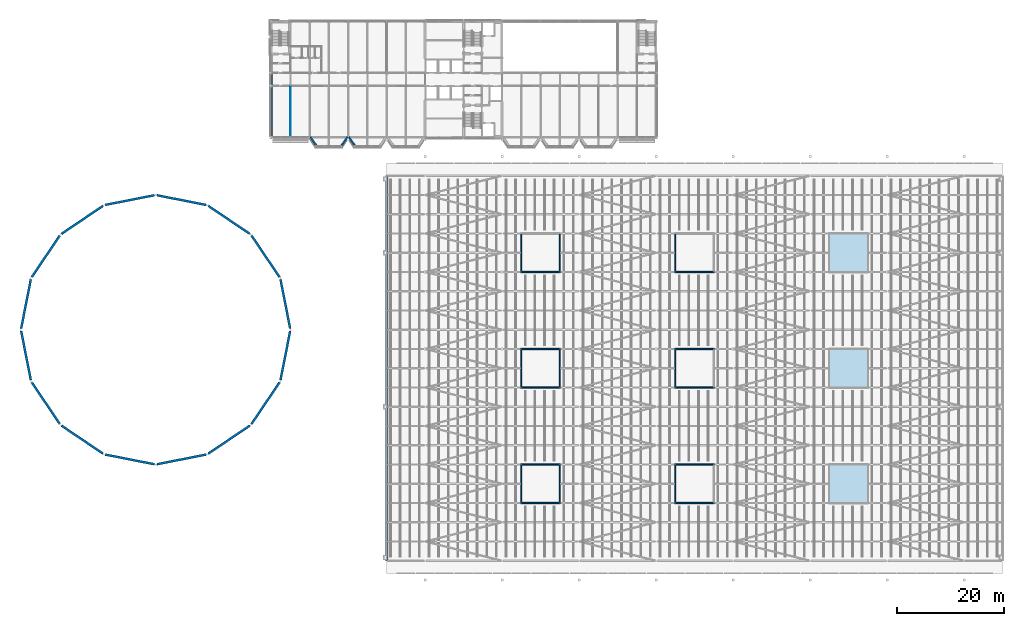
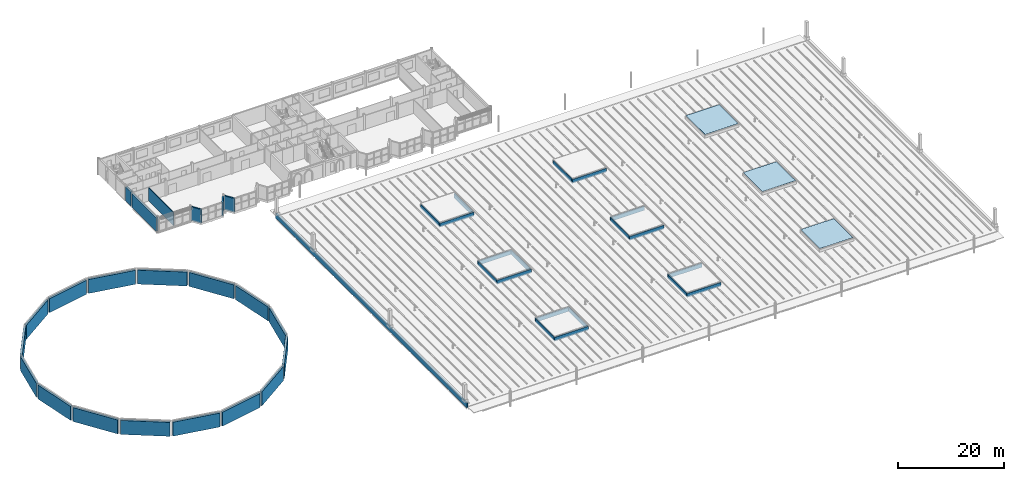
# One storey, part 60 of 120: 42 walls, 3 slabs.
"""IFC4 building model written with IfcOpenShell, lengths in metres."""

import ifcopenshell
import ifcopenshell.guid

model = None  # the IFC model being written
_history = None  # IfcOwnerHistory: only IFC2X3 demands one
_inside = {}  # id of a spatial element -> (the spatial element, [elements in it])
_under = {}  # id of a project, library or spatial element -> (it, [spatial elements below it])
_declared = {}  # id of a project -> (the project, [libraries it declares])
_typed = {}  # id of a type object -> (the type object, [elements of that type])
_made_of = {}  # id of a material, layer set ... -> (it, [elements and type objects made of it])


def new_model(schema):
    """Start an empty IFC model of exactly this schema.

    Asked for "IFC4X3", IfcOpenShell would pick the latest addendum, in which some entities
    have other attributes; the version numbers below select the first issue.
    IFC2X3 requires an IfcOwnerHistory on every rooted entity: one is made here for all.
    """
    global model, _history
    if schema == "IFC4X3":
        model = ifcopenshell.file(schema_version=(4, 3, 0, 0))
    else:
        model = ifcopenshell.file(schema=schema)
    _inside.clear()
    _under.clear()
    _declared.clear()
    _typed.clear()
    _made_of.clear()
    _history = None
    if model.schema == "IFC2X3":
        org = make("IfcOrganization", Name="unknown")
        user = make(
            "IfcPersonAndOrganization",
            ThePerson=make("IfcPerson", FamilyName="unknown"),
            TheOrganization=org,
        )
        app = make(
            "IfcApplication",
            ApplicationDeveloper=org,
            Version="unknown",
            ApplicationFullName="unknown",
            ApplicationIdentifier="unknown",
        )
        _history = make(
            "IfcOwnerHistory",
            OwningUser=user,
            OwningApplication=app,
            ChangeAction="ADDED",
            CreationDate=0,
        )
    return model


def make(cls, **values):
    """One entity of the class cls with the attributes given. An attribute that is None is left unset."""
    return model.create_entity(
        cls, **{name: value for name, value in values.items() if value is not None}
    )


def rooted(cls, **values):
    """An entity with a GlobalId (a new one), such as an element, a storey or a relation."""
    return make(cls, GlobalId=ifcopenshell.guid.new(), OwnerHistory=_history, **values)


def si_unit(unit_type, name, prefix=None):
    """IfcSIUnit, for example si_unit("LENGTHUNIT", "METRE", prefix="MILLI")."""
    return make("IfcSIUnit", UnitType=unit_type, Prefix=prefix, Name=name)


def assignment(units):
    """IfcUnitAssignment: the units of a project."""
    return None if units is None else make("IfcUnitAssignment", Units=units)


def point(xyz):
    """IfcCartesianPoint."""
    return None if xyz is None else make("IfcCartesianPoint", Coordinates=xyz)


def direction(xyz):
    """IfcDirection."""
    return None if xyz is None else make("IfcDirection", DirectionRatios=xyz)


def frame(location, z_axis=None, x_axis=None):
    """IfcAxis2Placement3D, a coordinate frame: its origin and axes. An axis left out is left unset."""
    return make(
        "IfcAxis2Placement3D",
        Location=point(location),
        Axis=direction(z_axis),
        RefDirection=direction(x_axis),
    )


def frame_2d(location, x_axis=None):
    """IfcAxis2Placement2D, a coordinate frame in the plane: its origin and x axis."""
    return make(
        "IfcAxis2Placement2D", Location=point(location), RefDirection=direction(x_axis)
    )


def origin():
    """The frame at (0, 0, 0) with its axes left unset."""
    return frame((0.0, 0.0, 0.0))


def place(relative_to, where):
    """IfcLocalPlacement: puts the frame where relative to a parent placement (None: the world)."""
    return make(
        "IfcLocalPlacement", PlacementRelTo=relative_to, RelativePlacement=where
    )


def context(
    kind, dimensions, precision=None, world=None, true_north=None, identifier=None
):
    """IfcGeometricRepresentationContext, for example the 3D "Model" context."""
    return make(
        "IfcGeometricRepresentationContext",
        ContextIdentifier=identifier,
        ContextType=kind,
        CoordinateSpaceDimension=dimensions,
        Precision=precision,
        WorldCoordinateSystem=world,
        TrueNorth=true_north,
    )


def subcontext(parent, identifier, kind, view, scale=None):
    """IfcGeometricRepresentationSubContext, for example "Body" below "Model"."""
    return make(
        "IfcGeometricRepresentationSubContext",
        ContextIdentifier=identifier,
        ContextType=kind,
        ParentContext=parent,
        TargetScale=scale,
        TargetView=view,
    )


def project(units=None, contexts=None):
    """IfcProject with its units and contexts."""
    return rooted(
        "IfcProject",
        Name="project",
        RepresentationContexts=contexts,
        UnitsInContext=assignment(units),
    )


def spatial(cls, under=None, at=None, **own):
    """A site, building, storey or space (cls), placed at a placement, below another one or the project."""
    s = rooted(cls, ObjectPlacement=at, **own)
    if under is not None:
        _under.setdefault(under.id(), (under, []))[1].append(s)
    return s


def polyline(points):
    """IfcPolyline through the points."""
    return make("IfcPolyline", Points=[point(p) for p in points])


def profile(cls, at=None, kind="AREA", **sizes):
    """A parametric profile (cls). Its sizes go by their IFC names, for example OverallWidth=200.0."""
    return make(cls, ProfileType=kind, Position=at, **sizes)


def rectangle(**sizes):
    """IfcRectangleProfileDef."""
    return profile("IfcRectangleProfileDef", **sizes)


def outline(outer, holes=None, kind="AREA"):
    """IfcArbitraryClosedProfileDef: a profile drawn as a closed curve; with holes, ...WithVoids."""
    if holes is None:
        return make("IfcArbitraryClosedProfileDef", ProfileType=kind, OuterCurve=outer)
    return make(
        "IfcArbitraryProfileDefWithVoids",
        ProfileType=kind,
        OuterCurve=outer,
        InnerCurves=holes,
    )


def extrude(swept, where, along, depth):
    """IfcExtrudedAreaSolid: the profile swept, set in the frame where, extruded along a direction by depth."""
    return make(
        "IfcExtrudedAreaSolid",
        SweptArea=swept,
        Position=where,
        ExtrudedDirection=direction(along),
        Depth=depth,
    )


def shape(context_of_items, identifier, shape_type, items):
    """IfcShapeRepresentation: the items that make up one representation, for example the "Body"."""
    return make(
        "IfcShapeRepresentation",
        ContextOfItems=context_of_items,
        RepresentationIdentifier=identifier,
        RepresentationType=shape_type,
        Items=items,
    )


def material(Name=None, Category=None):
    """IfcMaterial."""
    return make("IfcMaterial", Name=Name, Category=Category)


def layer(
    of_material, thickness, ventilated=None, Name=None, Category=None, Priority=None
):
    """IfcMaterialLayer: one layer of a wall or slab, of a material (None: an air gap)."""
    return make(
        "IfcMaterialLayer",
        Material=of_material,
        LayerThickness=thickness,
        IsVentilated=ventilated,
        Name=Name,
        Category=Category,
        Priority=Priority,
    )


def layer_set(layers, Name=None):
    """IfcMaterialLayerSet."""
    return make("IfcMaterialLayerSet", MaterialLayers=layers, LayerSetName=Name)


def made_of(thing, what):
    """Note that an element or type object is made of a material, layer set ...; save() writes the relation."""
    if what is not None:
        _made_of.setdefault(what.id(), (what, []))[1].append(thing)
    return thing


def type_object(cls, material=None, **own):
    """A type object (cls), such as IfcWallType, which elements share."""
    return made_of(rooted(cls, **own), material)


def element(
    cls,
    number,
    at=None,
    inside=None,
    cuts=None,
    type_object=None,
    material=None,
    context=None,
    identifier="Body",
    shape_type=None,
    held_by="IfcProductDefinitionShape",
    body=None,
    shapes=None,
    **own,
):
    """One element of the class cls, such as IfcWall. Its Tag is "e" and its number.

    at: its placement. inside: the storey or other place that contains it. cuts: it is an
    opening in that element (IfcRelVoidsElement). A single representation is given by context,
    identifier, shape_type and body (its items); several are given by shapes. held_by: the class
    of the entity that holds the representations. save() writes the other relations.
    """
    e = rooted(cls, Tag="e%d" % number, ObjectPlacement=at, **own)
    if body is not None:
        shapes = [shape(context, identifier, shape_type, body)]
    if shapes is not None:
        e.Representation = make(held_by, Representations=shapes)
    if inside is not None:
        _inside.setdefault(inside.id(), (inside, []))[1].append(e)
    if cuts is not None:
        rooted(
            "IfcRelVoidsElement", RelatingBuildingElement=cuts, RelatedOpeningElement=e
        )
    if type_object is not None:
        _typed.setdefault(type_object.id(), (type_object, []))[1].append(e)
    return made_of(e, material)


def aggregate(whole, parts):
    """IfcRelAggregates: a whole, such as a stair, and the parts it consists of."""
    return rooted("IfcRelAggregates", RelatingObject=whole, RelatedObjects=parts)


def save(model, path):
    """Write the relations noted so far, then the file.

    IfcRelAggregates (storeys below a building ...), IfcRelContainedInSpatialStructure (elements
    in a storey), IfcRelDefinesByType, IfcRelAssociatesMaterial and IfcRelDeclares: one each for
    every whole, place, type object, material and project.
    """
    for whole, parts in _under.values():
        aggregate(whole, parts)
    for where, things in _inside.values():
        rooted(
            "IfcRelContainedInSpatialStructure",
            RelatedElements=things,
            RelatingStructure=where,
        )
    for kind, things in _typed.values():
        rooted("IfcRelDefinesByType", RelatedObjects=things, RelatingType=kind)
    for what, things in _made_of.values():
        rooted("IfcRelAssociatesMaterial", RelatedObjects=things, RelatingMaterial=what)
    for by, libraries in _declared.values():
        rooted("IfcRelDeclares", RelatingContext=by, RelatedDefinitions=libraries)
    model.write(path)


model = new_model("IFC4")

# Units and contexts
model_context = context("Model", 3, precision=1e-05, world=origin(), true_north=direction((0.0, 1.0)))
body_context = subcontext(model_context, "Body", "Model", "MODEL_VIEW")
ifc_project = project(units=[si_unit("LENGTHUNIT", "METRE"), si_unit("AREAUNIT", "SQUARE_METRE"), si_unit("VOLUMEUNIT", "CUBIC_METRE"), si_unit("PLANEANGLEUNIT", "RADIAN"), si_unit("MASSUNIT", "GRAM", prefix="KILO")], contexts=[model_context])

# Site, building, storey
site_placement = place(None, origin())
site = spatial("IfcSite", under=ifc_project, at=site_placement, CompositionType="ELEMENT")
building_placement = place(site_placement, origin())
building = spatial("IfcBuilding", under=site, at=building_placement, Name="Kupolbacken Congress Centre", CompositionType="ELEMENT")
storey_placement = place(building_placement, frame((0.0, 0.0, 21.60009765625)))
storey = spatial("IfcBuildingStorey", under=building, at=storey_placement, Name="L06", CompositionType="ELEMENT", Elevation=21.60009765625)

# Slabs
ifc_material_1 = material(Name="Glass", Category="glass")
ifc_layer_1 = layer(ifc_material_1, 0.028076171875)
ifc_layer_set_1 = layer_set([ifc_layer_1], Name="Glass")
slab_type = type_object("IfcSlabType", Name="GD1 rooflight glass panel 28", PredefinedType="ROOF", material=ifc_layer_set_1)
slab_1_placement = place(storey_placement, frame((0.0, 0.0, 1.018310546875)))
element("IfcSlab", 1, at=slab_1_placement, inside=storey, type_object=slab_type, Name="RD/RL7/glass", PredefinedType="ROOF", context=body_context, shape_type="SweptSolid", body=[
    extrude(outline(polyline([(169.199951171875, 54.0), (176.39990234375, 54.0), (176.39990234375, 61.199951171875), (169.199951171875, 61.199951171875), (169.199951171875, 54.0)])), origin(), (0.0, 0.0, 1.0), 0.02783203125),
])
slab_2_placement = place(storey_placement, frame((0.0, 0.0, 1.018310546875)))
element("IfcSlab", 2, at=slab_2_placement, inside=storey, type_object=slab_type, Name="RD/RL8/glass", PredefinedType="ROOF", context=body_context, shape_type="SweptSolid", body=[
    extrude(outline(polyline([(169.199951171875, 75.60009765625), (176.39990234375, 75.60009765625), (176.39990234375, 82.800048828125), (169.199951171875, 82.800048828125), (169.199951171875, 75.60009765625)])), origin(), (0.0, 0.0, 1.0), 0.02783203125),
])
slab_3_placement = place(storey_placement, frame((0.0, 0.0, 1.018310546875)))
element("IfcSlab", 3, at=slab_3_placement, inside=storey, type_object=slab_type, Name="RD/RL9/glass", PredefinedType="ROOF", context=body_context, shape_type="SweptSolid", body=[
    extrude(outline(polyline([(169.199951171875, 97.199951171875), (176.39990234375, 97.199951171875), (176.39990234375, 104.39990234375), (169.199951171875, 104.39990234375), (169.199951171875, 97.199951171875)])), origin(), (0.0, 0.0, 1.0), 0.02783203125),
])

# Walls
ifc_material_2 = material(Name="Limestone", Category="masonry")
ifc_layer_2 = layer(ifc_material_2, 0.06005859375)
ifc_material_3 = material(Name="Air cavity", Category="air")
ifc_layer_3 = layer(ifc_material_3, 0.0400390625, ventilated=True)
ifc_material_4 = material(Name="Mineral wool", Category="insulation")
ifc_layer_4 = layer(ifc_material_4, 0.14990234375)
ifc_material_5 = material(Name="Steel studs", Category="metal")
ifc_layer_5 = layer(ifc_material_5, 0.050048828125)
ifc_layer_set_2 = layer_set([ifc_layer_2, ifc_layer_3, ifc_layer_4, ifc_layer_5], Name="Limestone / Mineral wool / Steel studs")
wall_type_1 = type_object("IfcWallType", Name="EW01 external cavity wall 300", PredefinedType="SOLIDWALL", material=ifc_layer_set_2)
for number, where, z_axis, x_axis, name in (
    (4, (72.153564453125, 122.440185546875, 0.0), (0.0, 0.0, 1.0), (0.554620150341, -0.8321036527, 0.0), "E/T/cumba/L06/S/002/facW"),
    (5, (79.04638671875, 122.440185546875, 0.0), (0.0, 0.0, 1.0), (-0.554620150341, -0.8321036527, 0.0), "E/T/cumba/L06/S/002/facE"),
):
    element("IfcWall", number, at=place(storey_placement, frame(where, z_axis=z_axis, x_axis=x_axis)), inside=storey, type_object=wall_type_1, Name=name, PredefinedType="SOLIDWALL", context=body_context, shape_type="SweptSolid", body=[
        extrude(rectangle(XDim=2.111572265625, YDim=0.300048828125, at=frame_2d((1.0556640625, 0.0))), origin(), (0.0, 0.0, 1.0), 3.219970703125),
    ])
wall_1_placement = place(storey_placement, frame((79.353515625, 122.440185546875, 0.0), z_axis=(0.0, 0.0, 1.0), x_axis=(0.554700196225, -0.832050294338, 0.0)))
element("IfcWall", 6, at=wall_1_placement, inside=storey, type_object=wall_type_1, Name="E/T/cumba/L06/S/006/facW", PredefinedType="SOLIDWALL", context=body_context, shape_type="SweptSolid", body=[
    extrude(rectangle(XDim=2.11181640625, YDim=0.300048828125, at=frame_2d((1.055908203125, 0.0))), origin(), (0.0, 0.0, 1.0), 3.219970703125),
])
ifc_material_6 = material(Name="Brick", Category="masonry")
ifc_layer_6 = layer(ifc_material_6, 0.10791015625)
ifc_layer_7 = layer(ifc_material_3, 0.050048828125, ventilated=True)
ifc_layer_8 = layer(ifc_material_4, 0.1298828125)
ifc_layer_9 = layer(ifc_material_5, 0.052001953125)
ifc_layer_set_3 = layer_set([ifc_layer_6, ifc_layer_7, ifc_layer_8, ifc_layer_9], Name="Brick / Mineral wool / Steel studs")
wall_type_2 = type_object("IfcWallType", Name="EW02 external cavity wall 340", PredefinedType="SOLIDWALL", material=ifc_layer_set_3)
wall_2_placement = place(storey_placement, frame((64.800048828125, 134.175048828125, 0.0), z_axis=(0.0, 0.0, 1.0), x_axis=(0.0, -1.0, 0.0)))
element("IfcWall", 7, at=wall_2_placement, inside=storey, type_object=wall_type_2, Name="E/T/W/L06/097", PredefinedType="SOLIDWALL", context=body_context, shape_type="SweptSolid", body=[
    extrude(rectangle(XDim=1.949951171875, YDim=0.340087890625, at=frame_2d((0.97509765625, 0.0))), origin(), (0.0, 0.0, 1.0), 3.260009765625),
])
wall_3_placement = place(storey_placement, frame((64.800048828125, 131.77490234375, 0.0), z_axis=(0.0, 0.0, 1.0), x_axis=(0.0, -1.0, 0.0)))
element("IfcWall", 8, at=wall_3_placement, inside=storey, type_object=wall_type_2, Name="E/T/W/L06/098", PredefinedType="SOLIDWALL", context=body_context, shape_type="SweptSolid", body=[
    extrude(rectangle(XDim=9.14990234375, YDim=0.340087890625, at=frame_2d((4.574951171875, 0.0))), origin(), (0.0, 0.0, 1.0), 3.059814453125),
])
ifc_layer_10 = layer(ifc_material_2, 0.1201171875)
ifc_layer_11 = layer(ifc_material_3, 0.0400390625, ventilated=True)
ifc_layer_12 = layer(ifc_material_4, 0.159912109375)
ifc_material_7 = material(Name="Concrete block", Category="masonry")
ifc_layer_13 = layer(ifc_material_7, 0.1201171875)
ifc_layer_set_4 = layer_set([ifc_layer_10, ifc_layer_11, ifc_layer_12, ifc_layer_13], Name="Limestone / Mineral wool / Concrete block")
wall_type_3 = type_object("IfcWallType", Name="EW05 external cavity wall 440", PredefinedType="SOLIDWALL", material=ifc_layer_set_4)
for number, where, z_axis, x_axis, name in (
    (9, (20.039794921875, 76.542724609375, 0.0), (0.0, 0.0, 1.0), (0.559394224363, -0.828901744327, 0.0), "Drum wall 01 L06"),
    (10, (25.607177734375, 68.460205078125, 0.0), (0.0, 0.0, 1.0), (0.828901744327, -0.559394224363, 0.0), "Drum wall 02 L06"),
):
    element("IfcWall", number, at=place(storey_placement, frame(where, z_axis=z_axis, x_axis=x_axis)), inside=storey, type_object=wall_type_3, Name=name, PredefinedType="SOLIDWALL", context=body_context, shape_type="SweptSolid", body=[
        extrude(rectangle(XDim=9.332275390625, YDim=0.43994140625, at=frame_2d((4.666015625, 0.0))), origin(), (0.0, 0.0, 1.0), 3.2099609375),
    ])
wall_4_placement = place(storey_placement, frame((33.79541015625, 63.0517578125, 0.0), z_axis=(0.0, 0.0, 1.0), x_axis=(0.981160743588, -0.193193155264, 0.0)))
element("IfcWall", 11, at=wall_4_placement, inside=storey, type_object=wall_type_3, Name="Drum wall 03 L06", PredefinedType="SOLIDWALL", context=body_context, shape_type="SweptSolid", body=[
    extrude(rectangle(XDim=9.3349609375, YDim=0.43994140625, at=frame_2d((4.66748046875, 0.0))), origin(), (0.0, 0.0, 1.0), 3.2099609375),
])
wall_5_placement = place(storey_placement, frame((43.4453125, 61.248291015625, 0.0), z_axis=(0.0, 0.0, 1.0), x_axis=(0.98116171968, 0.193188197971, 0.0)))
element("IfcWall", 12, at=wall_5_placement, inside=storey, type_object=wall_type_3, Name="Drum wall 04 L06", PredefinedType="SOLIDWALL", context=body_context, shape_type="SweptSolid", body=[
    extrude(rectangle(XDim=9.335205078125, YDim=0.43994140625, at=frame_2d((4.66748046875, 0.0))), origin(), (0.0, 0.0, 1.0), 3.2099609375),
])
for number, where, z_axis, x_axis, name in (
    (13, (53.05712890625, 63.23974609375, 0.0), (0.0, 0.0, 1.0), (0.828901744327, 0.559394224363, 0.0), "Drum wall 05 L06"),
    (14, (61.139892578125, 68.80712890625, 0.0), (0.0, 0.0, 1.0), (0.559376249525, 0.828913874577, 0.0), "Drum wall 06 L06"),
):
    element("IfcWall", number, at=place(storey_placement, frame(where, z_axis=z_axis, x_axis=x_axis)), inside=storey, type_object=wall_type_3, Name=name, PredefinedType="SOLIDWALL", context=body_context, shape_type="SweptSolid", body=[
        extrude(rectangle(XDim=9.332275390625, YDim=0.43994140625, at=frame_2d((4.666015625, 0.0))), origin(), (0.0, 0.0, 1.0), 3.2099609375),
    ])
for number, where, z_axis, x_axis, name in (
    (15, (66.54833984375, 76.995361328125, 0.0), (0.0, 0.0, 1.0), (0.193188197971, 0.98116171968, 0.0), "Drum wall 07 L06"),
    (16, (68.351806640625, 86.645263671875, 0.0), (0.0, 0.0, 1.0), (-0.193188197971, 0.98116171968, 0.0), "Drum wall 08 L06"),
):
    element("IfcWall", number, at=place(storey_placement, frame(where, z_axis=z_axis, x_axis=x_axis)), inside=storey, type_object=wall_type_3, Name=name, PredefinedType="SOLIDWALL", context=body_context, shape_type="SweptSolid", body=[
        extrude(rectangle(XDim=9.335205078125, YDim=0.43994140625, at=frame_2d((4.66748046875, 0.0))), origin(), (0.0, 0.0, 1.0), 3.2099609375),
    ])
wall_6_placement = place(storey_placement, frame((66.360107421875, 96.25732421875, 0.0), z_axis=(0.0, 0.0, 1.0), x_axis=(-0.559388379961, 0.828905688462, 0.0)))
element("IfcWall", 17, at=wall_6_placement, inside=storey, type_object=wall_type_3, Name="Drum wall 09 L06", PredefinedType="SOLIDWALL", context=body_context, shape_type="SweptSolid", body=[
    extrude(rectangle(XDim=9.33203125, YDim=0.43994140625, at=frame_2d((4.666015625, 0.0))), origin(), (0.0, 0.0, 1.0), 3.2099609375),
])
wall_7_placement = place(storey_placement, frame((60.792724609375, 104.33984375, 0.0), z_axis=(0.0, 0.0, 1.0), x_axis=(-0.828913874577, 0.559376249525, 0.0)))
element("IfcWall", 18, at=wall_7_placement, inside=storey, type_object=wall_type_3, Name="Drum wall 10 L06", PredefinedType="SOLIDWALL", context=body_context, shape_type="SweptSolid", body=[
    extrude(rectangle(XDim=9.332275390625, YDim=0.43994140625, at=frame_2d((4.666015625, 0.0))), origin(), (0.0, 0.0, 1.0), 3.2099609375),
])
wall_8_placement = place(storey_placement, frame((52.604736328125, 109.748291015625, 0.0), z_axis=(0.0, 0.0, 1.0), x_axis=(-0.98116171968, 0.193188197971, 0.0)))
element("IfcWall", 19, at=wall_8_placement, inside=storey, type_object=wall_type_3, Name="Drum wall 11 L06", PredefinedType="SOLIDWALL", context=body_context, shape_type="SweptSolid", body=[
    extrude(rectangle(XDim=9.335205078125, YDim=0.43994140625, at=frame_2d((4.66748046875, 0.0))), origin(), (0.0, 0.0, 1.0), 3.2099609375),
])
wall_9_placement = place(storey_placement, frame((42.95458984375, 111.5517578125, 0.0), z_axis=(0.0, 0.0, 1.0), x_axis=(-0.981160743588, -0.193193155264, 0.0)))
element("IfcWall", 20, at=wall_9_placement, inside=storey, type_object=wall_type_3, Name="Drum wall 12 L06", PredefinedType="SOLIDWALL", context=body_context, shape_type="SweptSolid", body=[
    extrude(rectangle(XDim=9.3349609375, YDim=0.43994140625, at=frame_2d((4.66748046875, 0.0))), origin(), (0.0, 0.0, 1.0), 3.2099609375),
])
wall_10_placement = place(storey_placement, frame((33.3427734375, 109.56005859375, 0.0), z_axis=(0.0, 0.0, 1.0), x_axis=(-0.828913874577, -0.559376249525, 0.0)))
element("IfcWall", 21, at=wall_10_placement, inside=storey, type_object=wall_type_3, Name="Drum wall 13 L06", PredefinedType="SOLIDWALL", context=body_context, shape_type="SweptSolid", body=[
    extrude(rectangle(XDim=9.332275390625, YDim=0.43994140625, at=frame_2d((4.666015625, 0.0))), origin(), (0.0, 0.0, 1.0), 3.2099609375),
])
wall_11_placement = place(storey_placement, frame((25.26025390625, 103.99267578125, 0.0), z_axis=(0.0, 0.0, 1.0), x_axis=(-0.559406354834, -0.828893557806, 0.0)))
element("IfcWall", 22, at=wall_11_placement, inside=storey, type_object=wall_type_3, Name="Drum wall 14 L06", PredefinedType="SOLIDWALL", context=body_context, shape_type="SweptSolid", body=[
    extrude(rectangle(XDim=9.33203125, YDim=0.43994140625, at=frame_2d((4.666015625, 0.0))), origin(), (0.0, 0.0, 1.0), 3.2099609375),
])
for number, where, z_axis, x_axis, name in (
    (23, (19.851806640625, 95.8046875, 0.0), (0.0, 0.0, 1.0), (-0.193188197971, -0.98116171968, 0.0), "Drum wall 15 L06"),
    (24, (18.04833984375, 86.15478515625, 0.0), (0.0, 0.0, 1.0), (0.193188197971, -0.98116171968, 0.0), "Drum wall 16 L06"),
):
    element("IfcWall", number, at=place(storey_placement, frame(where, z_axis=z_axis, x_axis=x_axis)), inside=storey, type_object=wall_type_3, Name=name, PredefinedType="SOLIDWALL", context=body_context, shape_type="SweptSolid", body=[
        extrude(rectangle(XDim=9.335205078125, YDim=0.43994140625, at=frame_2d((4.66748046875, 0.0))), origin(), (0.0, 0.0, 1.0), 3.2099609375),
    ])
ifc_material_8 = material(Name="Gypsum board", Category="drywall")
ifc_layer_14 = layer(ifc_material_8, 0.135009765625)
ifc_layer_set_5 = layer_set([ifc_layer_14], Name="Gypsum board")
wall_type_4 = type_object("IfcWallType", Name="P06 compartment wall 135", PredefinedType="PARTITIONING", material=ifc_layer_set_5)
wall_12_placement = place(storey_placement, frame((68.39990234375, 122.570068359375, 0.0), z_axis=(0.0, 0.0, 1.0), x_axis=(0.0, 1.0, 0.0)))
element("IfcWall", 25, at=wall_12_placement, inside=storey, type_object=wall_type_4, Name="T/wall/L06/y/6840/12240", PredefinedType="PARTITIONING", context=body_context, shape_type="SweptSolid", body=[
    extrude(rectangle(XDim=9.362548828125, YDim=0.135009765625, at=frame_2d((4.68115234375, 0.0))), origin(), (0.0, 0.0, 1.0), 3.059814453125),
])
ifc_layer_15 = layer(ifc_material_6, 0.10791015625)
ifc_layer_16 = layer(ifc_material_7, 0.2119140625)
ifc_layer_set_6 = layer_set([ifc_layer_15, ifc_layer_16], Name="Brick / Concrete block")
wall_type_5 = type_object("IfcWallType", Name="PW3 parapet 320", PredefinedType="PARAPET", material=ifc_layer_set_6)
wall_13_placement = place(storey_placement, frame((86.39990234375, 43.199951171875, 0.0), z_axis=(0.0, 0.0, 1.0), x_axis=(0.0, 1.0, 0.0)))
element("IfcWall", 26, at=wall_13_placement, inside=storey, type_object=wall_type_5, Name="E/roof/hall/W/01", PredefinedType="PARAPET", context=body_context, shape_type="SweptSolid", body=[
    extrude(rectangle(XDim=72.0, YDim=0.320068359375, at=frame_2d((36.0, 0.0))), origin(), (0.0, 0.0, 1.0), 1.099853515625),
])
ifc_material_9 = material(Name="Concrete C30/37", Category="concrete")
ifc_layer_17 = layer(ifc_material_9, 0.219970703125)
ifc_layer_set_7 = layer_set([ifc_layer_17], Name="Concrete C30/37")
wall_type_6 = type_object("IfcWallType", Name="RK1 rooflight kerb 220", PredefinedType="SOLIDWALL", material=ifc_layer_set_7)
for number, where, z_axis, x_axis, name in (
    (27, (111.489990234375, 54.0, -0.010009765625), (0.0, 0.0, 1.0), (1.0, 0.0, 0.0), "Rooflight kerb RL1S"),
    (28, (111.489990234375, 61.199951171875, -0.010009765625), (0.0, 0.0, 1.0), (1.0, 0.0, 0.0), "Rooflight kerb RL1N"),
):
    element("IfcWall", number, at=place(storey_placement, frame(where, z_axis=z_axis, x_axis=x_axis)), inside=storey, type_object=wall_type_6, Name=name, PredefinedType="SOLIDWALL", context=body_context, shape_type="SweptSolid", body=[
        extrude(rectangle(XDim=7.419921875, YDim=0.219970703125, at=frame_2d((3.7099609375, 0.0))), origin(), (0.0, 0.0, 1.0), 0.8798828125),
    ])
for number, where, z_axis, x_axis, name in (
    (29, (111.60009765625, 54.110107421875, -0.010009765625), (0.0, 0.0, 1.0), (0.0, 1.0, 0.0), "Rooflight kerb RL1W"),
    (30, (118.800048828125, 54.110107421875, -0.010009765625), (0.0, 0.0, 1.0), (0.0, 1.0, 0.0), "Rooflight kerb RL1E"),
):
    element("IfcWall", number, at=place(storey_placement, frame(where, z_axis=z_axis, x_axis=x_axis)), inside=storey, type_object=wall_type_6, Name=name, PredefinedType="SOLIDWALL", context=body_context, shape_type="SweptSolid", body=[
        extrude(rectangle(XDim=6.97998046875, YDim=0.219970703125, at=frame_2d((3.489990234375, 0.0))), origin(), (0.0, 0.0, 1.0), 0.8798828125),
    ])
for number, where, z_axis, x_axis, name in (
    (31, (111.489990234375, 75.60009765625, -0.010009765625), (0.0, 0.0, 1.0), (1.0, 0.0, 0.0), "Rooflight kerb RL2S"),
    (32, (111.489990234375, 82.800048828125, -0.010009765625), (0.0, 0.0, 1.0), (1.0, 0.0, 0.0), "Rooflight kerb RL2N"),
):
    element("IfcWall", number, at=place(storey_placement, frame(where, z_axis=z_axis, x_axis=x_axis)), inside=storey, type_object=wall_type_6, Name=name, PredefinedType="SOLIDWALL", context=body_context, shape_type="SweptSolid", body=[
        extrude(rectangle(XDim=7.419921875, YDim=0.219970703125, at=frame_2d((3.7099609375, 0.0))), origin(), (0.0, 0.0, 1.0), 0.8798828125),
    ])
for number, where, z_axis, x_axis, name in (
    (33, (111.60009765625, 75.7099609375, -0.010009765625), (0.0, 0.0, 1.0), (0.0, 1.0, 0.0), "Rooflight kerb RL2W"),
    (34, (118.800048828125, 75.7099609375, -0.010009765625), (0.0, 0.0, 1.0), (0.0, 1.0, 0.0), "Rooflight kerb RL2E"),
):
    element("IfcWall", number, at=place(storey_placement, frame(where, z_axis=z_axis, x_axis=x_axis)), inside=storey, type_object=wall_type_6, Name=name, PredefinedType="SOLIDWALL", context=body_context, shape_type="SweptSolid", body=[
        extrude(rectangle(XDim=6.97998046875, YDim=0.219970703125, at=frame_2d((3.489990234375, 0.0))), origin(), (0.0, 0.0, 1.0), 0.8798828125),
    ])
wall_14_placement = place(storey_placement, frame((111.489990234375, 97.199951171875, -0.010009765625), z_axis=(0.0, 0.0, 1.0), x_axis=(1.0, 0.0, 0.0)))
element("IfcWall", 35, at=wall_14_placement, inside=storey, type_object=wall_type_6, Name="Rooflight kerb RL3S", PredefinedType="SOLIDWALL", context=body_context, shape_type="SweptSolid", body=[
    extrude(rectangle(XDim=7.419921875, YDim=0.219970703125, at=frame_2d((3.7099609375, 0.0))), origin(), (0.0, 0.0, 1.0), 0.8798828125),
])
for number, where, z_axis, x_axis, name in (
    (36, (111.60009765625, 97.31005859375, -0.010009765625), (0.0, 0.0, 1.0), (0.0, 1.0, 0.0), "Rooflight kerb RL3W"),
    (37, (118.800048828125, 97.31005859375, -0.010009765625), (0.0, 0.0, 1.0), (0.0, 1.0, 0.0), "Rooflight kerb RL3E"),
):
    element("IfcWall", number, at=place(storey_placement, frame(where, z_axis=z_axis, x_axis=x_axis)), inside=storey, type_object=wall_type_6, Name=name, PredefinedType="SOLIDWALL", context=body_context, shape_type="SweptSolid", body=[
        extrude(rectangle(XDim=6.97998046875, YDim=0.219970703125, at=frame_2d((3.489990234375, 0.0))), origin(), (0.0, 0.0, 1.0), 0.8798828125),
    ])
for number, where, z_axis, x_axis, name in (
    (38, (140.2900390625, 54.0, -0.010009765625), (0.0, 0.0, 1.0), (1.0, 0.0, 0.0), "Rooflight kerb RL4S"),
    (39, (140.2900390625, 61.199951171875, -0.010009765625), (0.0, 0.0, 1.0), (1.0, 0.0, 0.0), "Rooflight kerb RL4N"),
):
    element("IfcWall", number, at=place(storey_placement, frame(where, z_axis=z_axis, x_axis=x_axis)), inside=storey, type_object=wall_type_6, Name=name, PredefinedType="SOLIDWALL", context=body_context, shape_type="SweptSolid", body=[
        extrude(rectangle(XDim=7.419921875, YDim=0.219970703125, at=frame_2d((3.7099609375, 0.0))), origin(), (0.0, 0.0, 1.0), 0.8798828125),
    ])
wall_15_placement = place(storey_placement, frame((140.39990234375, 54.110107421875, -0.010009765625), z_axis=(0.0, 0.0, 1.0), x_axis=(0.0, 1.0, 0.0)))
element("IfcWall", 40, at=wall_15_placement, inside=storey, type_object=wall_type_6, Name="Rooflight kerb RL4W", PredefinedType="SOLIDWALL", context=body_context, shape_type="SweptSolid", body=[
    extrude(rectangle(XDim=6.97998046875, YDim=0.219970703125, at=frame_2d((3.489990234375, 0.0))), origin(), (0.0, 0.0, 1.0), 0.8798828125),
])
for number, where, z_axis, x_axis, name in (
    (41, (140.2900390625, 75.60009765625, -0.010009765625), (0.0, 0.0, 1.0), (1.0, 0.0, 0.0), "Rooflight kerb RL5S"),
    (42, (140.2900390625, 82.800048828125, -0.010009765625), (0.0, 0.0, 1.0), (1.0, 0.0, 0.0), "Rooflight kerb RL5N"),
):
    element("IfcWall", number, at=place(storey_placement, frame(where, z_axis=z_axis, x_axis=x_axis)), inside=storey, type_object=wall_type_6, Name=name, PredefinedType="SOLIDWALL", context=body_context, shape_type="SweptSolid", body=[
        extrude(rectangle(XDim=7.419921875, YDim=0.219970703125, at=frame_2d((3.7099609375, 0.0))), origin(), (0.0, 0.0, 1.0), 0.8798828125),
    ])
wall_16_placement = place(storey_placement, frame((140.39990234375, 75.7099609375, -0.010009765625), z_axis=(0.0, 0.0, 1.0), x_axis=(0.0, 1.0, 0.0)))
element("IfcWall", 43, at=wall_16_placement, inside=storey, type_object=wall_type_6, Name="Rooflight kerb RL5W", PredefinedType="SOLIDWALL", context=body_context, shape_type="SweptSolid", body=[
    extrude(rectangle(XDim=6.97998046875, YDim=0.219970703125, at=frame_2d((3.489990234375, 0.0))), origin(), (0.0, 0.0, 1.0), 0.8798828125),
])
wall_17_placement = place(storey_placement, frame((140.2900390625, 97.199951171875, -0.010009765625), z_axis=(0.0, 0.0, 1.0), x_axis=(1.0, 0.0, 0.0)))
element("IfcWall", 44, at=wall_17_placement, inside=storey, type_object=wall_type_6, Name="Rooflight kerb RL6S", PredefinedType="SOLIDWALL", context=body_context, shape_type="SweptSolid", body=[
    extrude(rectangle(XDim=7.419921875, YDim=0.219970703125, at=frame_2d((3.7099609375, 0.0))), origin(), (0.0, 0.0, 1.0), 0.8798828125),
])
wall_18_placement = place(storey_placement, frame((140.39990234375, 97.31005859375, -0.010009765625), z_axis=(0.0, 0.0, 1.0), x_axis=(0.0, 1.0, 0.0)))
element("IfcWall", 45, at=wall_18_placement, inside=storey, type_object=wall_type_6, Name="Rooflight kerb RL6W", PredefinedType="SOLIDWALL", context=body_context, shape_type="SweptSolid", body=[
    extrude(rectangle(XDim=6.97998046875, YDim=0.219970703125, at=frame_2d((3.489990234375, 0.0))), origin(), (0.0, 0.0, 1.0), 0.8798828125),
])

save(model, "model.ifc")
